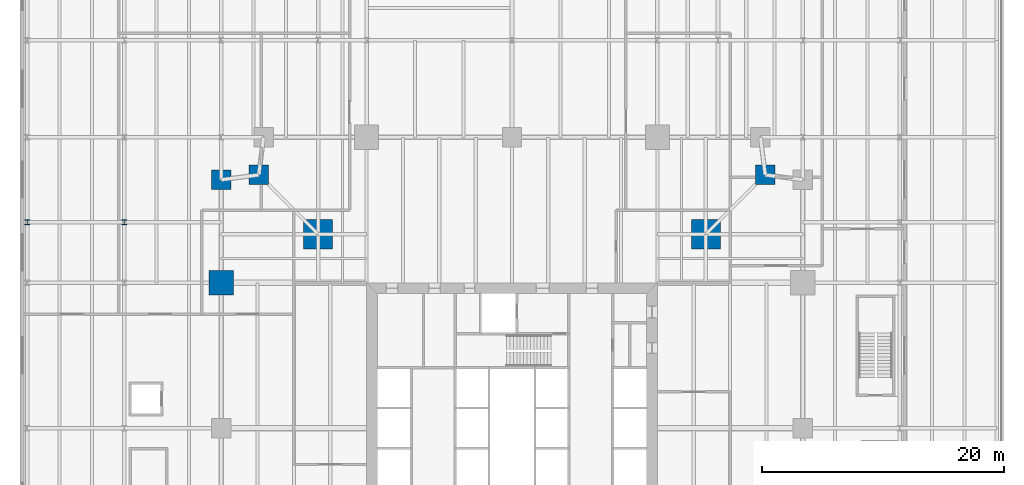
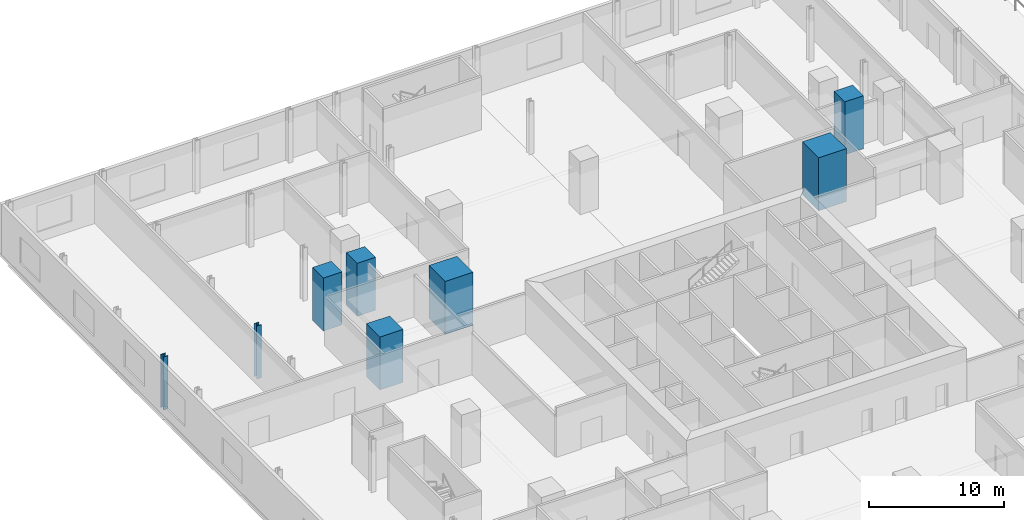
# One storey, part 2 of 18: 8 columns.
"""IFC4 building model written with IfcOpenShell, lengths in metres."""

from ifc_helpers import new_model, si_unit, direction, frame, origin, origin_2d, place, context, subcontext, project, spatial, rectangle, i_section, extrude, material, material_profile, profile_set, type_object, element, save


model = new_model("IFC4")

# Units and contexts
model_context = context("Model", 3, precision=1e-05, world=origin(), true_north=direction((0.0, 1.0)))
body_context = subcontext(model_context, "Body", "Model", "MODEL_VIEW")
ifc_project = project(units=[si_unit("LENGTHUNIT", "METRE"), si_unit("AREAUNIT", "SQUARE_METRE"), si_unit("VOLUMEUNIT", "CUBIC_METRE"), si_unit("PLANEANGLEUNIT", "RADIAN"), si_unit("MASSUNIT", "GRAM", prefix="KILO")], contexts=[model_context])

# Site, building, storey
site_placement = place(None, origin())
site = spatial("IfcSite", under=ifc_project, at=site_placement, CompositionType="ELEMENT")
building_placement = place(site_placement, origin())
building = spatial("IfcBuilding", under=site, at=building_placement, Name="Fenwick Lantern Interchange", CompositionType="ELEMENT")
storey_placement = place(building_placement, frame((0.0, 0.0, 11.800048828125)))
storey = spatial("IfcBuildingStorey", under=building, at=storey_placement, Name="L02", CompositionType="ELEMENT", Elevation=11.800048828125)

# Columns
ifc_material_1 = material(Name="Concrete f'c 70 MPa", Category="concrete")
ifc_material_profile_1 = material_profile(ifc_material_1, rectangle(XDim=2.39990234375, YDim=2.39990234375, at=origin_2d()), Name="RC2400X2400")
ifc_profile_set_1 = profile_set([ifc_material_profile_1], Name="Concrete f'c 70 MPa")
column_type_1 = type_object("IfcColumnType", Name="MEGA COLUMN RC2400X2400", PredefinedType="COLUMN", material=ifc_profile_set_1)
for number, where, z_axis, x_axis, name in (
    (1, (41.0, 41.0, 0.0), (0.0, 0.0, 1.0), (1.0, 0.0, 0.0), "L02/M3"),
    (2, (9.0, 41.0, 0.0), (0.0, 0.0, 1.0), (1.0, 0.0, 0.0), "L02/M4"),
):
    element("IfcColumn", number, at=place(storey_placement, frame(where, z_axis=z_axis, x_axis=x_axis)), inside=storey, type_object=column_type_1, Name=name, PredefinedType="COLUMN", context=body_context, shape_type="SweptSolid", body=[
        extrude(rectangle(XDim=2.39990234375, YDim=2.39990234375, at=origin_2d()), origin(), (0.0, 0.0, 1.0), 4.800048828125),
    ])
ifc_material_profile_2 = material_profile(ifc_material_1, rectangle(XDim=1.60009765625, YDim=1.60009765625, at=origin_2d()), Name="RC1600X1600")
ifc_profile_set_2 = profile_set([ifc_material_profile_2], Name="Concrete f'c 70 MPa")
column_type_2 = type_object("IfcColumnType", Name="PERIMETER COLUMN RC1600X1600", PredefinedType="COLUMN", material=ifc_profile_set_2)
for number, where, z_axis, x_axis, name in (
    (3, (45.89990234375, 45.89990234375, 0.0), (0.0, 0.0, 1.0), (1.0, 0.0, 0.0), "L02/CER"),
    (4, (4.10009765625, 45.89990234375, 0.0), (0.0, 0.0, 1.0), (1.0, 0.0, 0.0), "L02/CNR"),
    (5, (1.0, 45.5, 0.0), (0.0, 0.0, 1.0), (1.0, 0.0, 0.0), "L02/CW1"),
):
    element("IfcColumn", number, at=place(storey_placement, frame(where, z_axis=z_axis, x_axis=x_axis)), inside=storey, type_object=column_type_2, Name=name, PredefinedType="COLUMN", context=body_context, shape_type="SweptSolid", body=[
        extrude(rectangle(XDim=1.60009765625, YDim=1.60009765625, at=origin_2d()), origin(), (0.0, 0.0, 1.0), 4.800048828125),
    ])
ifc_material_profile_3 = material_profile(ifc_material_1, rectangle(XDim=2.0, YDim=2.0, at=origin_2d()), Name="RC2000X2000")
ifc_profile_set_3 = profile_set([ifc_material_profile_3], Name="Concrete f'c 70 MPa")
column_type_3 = type_object("IfcColumnType", Name="PERIMETER COLUMN RC2000X2000", PredefinedType="COLUMN", material=ifc_profile_set_3)
column_placement = place(storey_placement, frame((1.0, 37.0, 0.0), z_axis=(0.0, 0.0, 1.0), x_axis=(1.0, 0.0, 0.0)))
element("IfcColumn", 6, at=column_placement, inside=storey, type_object=column_type_3, Name="L02/CW2", PredefinedType="COLUMN", context=body_context, shape_type="SweptSolid", body=[
    extrude(rectangle(XDim=2.0, YDim=2.0, at=origin_2d()), origin(), (0.0, 0.0, 1.0), 4.800048828125),
])
ifc_material_2 = material(Name="Steel ASTM A992 Grade 50", Category="steel")
ifc_material_profile_4 = material_profile(ifc_material_2, i_section(OverallWidth=0.406494140625, OverallDepth=0.41650390625, WebThickness=0.030029296875, FlangeThickness=0.048095703125, at=origin_2d()), Name="W14X257")
ifc_profile_set_4 = profile_set([ifc_material_profile_4], Name="Steel ASTM A992 Grade 50")
column_type_4 = type_object("IfcColumnType", Name="PODIUM COLUMN W14X257", PredefinedType="COLUMN", material=ifc_profile_set_4)
for number, where, z_axis, x_axis, name in (
    (7, (-15.0, 42.0, 0.0), (0.0, 0.0, 1.0), (1.0, 0.0, 0.0), "L02/PH1"),
    (8, (-7.0, 42.0, 0.0), (0.0, 0.0, 1.0), (1.0, 0.0, 0.0), "L02/PH2"),
):
    element("IfcColumn", number, at=place(storey_placement, frame(where, z_axis=z_axis, x_axis=x_axis)), inside=storey, type_object=column_type_4, Name=name, PredefinedType="COLUMN", context=body_context, shape_type="SweptSolid", body=[
        extrude(i_section(OverallWidth=0.406494140625, OverallDepth=0.41650390625, WebThickness=0.030029296875, FlangeThickness=0.048095703125, at=origin_2d()), origin(), (0.0, 0.0, 1.0), 4.800048828125),
    ])

save(model, "model.ifc")
